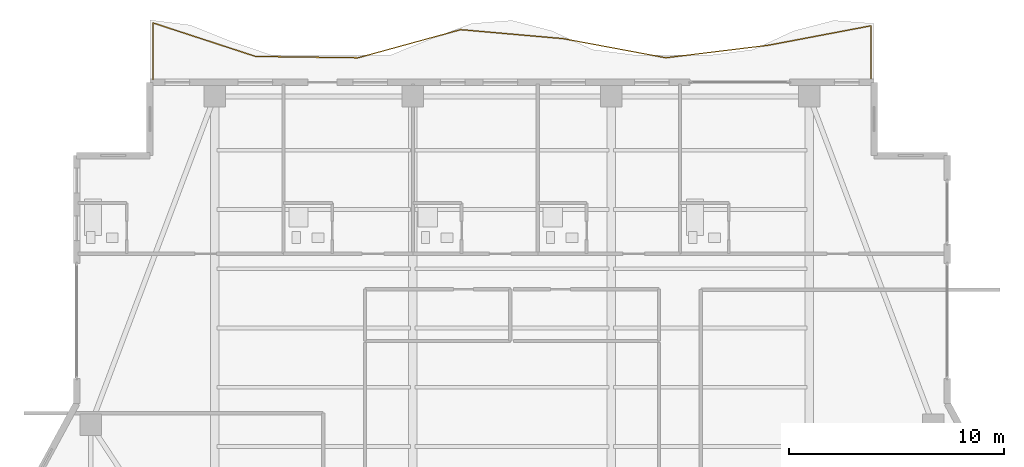
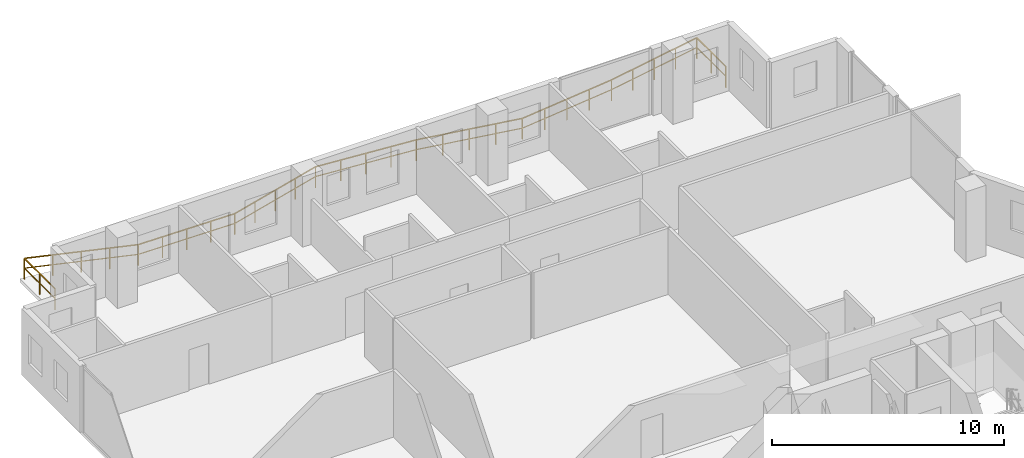
# One storey, part 25 of 26: 1 railing.
"""IFC4 building model written with IfcOpenShell, lengths in metres."""

from ifc_helpers import new_model, si_unit, direction, frame, origin, origin_2d, place, context, subcontext, project, spatial, rectangle, extrude, material, type_object, element, save


model = new_model("IFC4")

# Units and contexts
model_context = context("Model", 3, precision=1e-05, world=origin(), true_north=direction((0.0, 1.0)))
body_context = subcontext(model_context, "Body", "Model", "MODEL_VIEW")
ifc_project = project(units=[si_unit("LENGTHUNIT", "METRE"), si_unit("AREAUNIT", "SQUARE_METRE"), si_unit("VOLUMEUNIT", "CUBIC_METRE"), si_unit("PLANEANGLEUNIT", "RADIAN"), si_unit("MASSUNIT", "GRAM", prefix="KILO")], contexts=[model_context])

# Site, building, storey
site_placement = place(None, origin())
site = spatial("IfcSite", under=ifc_project, at=site_placement, CompositionType="ELEMENT")
building_placement = place(site_placement, origin())
building = spatial("IfcBuilding", under=site, at=building_placement, Name="Zuhayl Quay Hotel", CompositionType="ELEMENT")
storey_placement = place(building_placement, frame((0.0, 0.0, 247.050048828125)))
storey = spatial("IfcBuildingStorey", under=building, at=storey_placement, Name="L62", CompositionType="ELEMENT", Elevation=247.050048828125)

# Railing
ifc_material = material(Name="Anodised Aluminium and Laminated Glass", Category="aluminium")
railing_type = type_object("IfcRailingType", Name="RL_EXT_BAL_1100", PredefinedType="BALUSTRADE", material=ifc_material)
railing_placement = place(storey_placement, frame((-16.659912109375, 39.1201171875, 0.0)))
element("IfcRailing", 1, at=railing_placement, inside=storey, type_object=railing_type, Name="L62 Balcony and Terrace Guard GR_L62_BAL_N", PredefinedType="BALUSTRADE", context=body_context, shape_type="SweptSolid", body=[
    extrude(rectangle(XDim=0.048095703125, YDim=0.048095703125, at=origin_2d()), frame((0.0, 0.0, 1.09619140625), z_axis=(0.0, 1.0, 0.0), x_axis=(-1.0, 0.0, 0.0)), (0.0, 0.0, 1.0), 2.638427734375),
    extrude(rectangle(XDim=0.0361328125, YDim=0.0361328125, at=origin_2d()), frame((0.0, 0.0, 0.58251953125), z_axis=(0.0, 1.0, 0.0), x_axis=(-1.0, 0.0, 0.0)), (0.0, 0.0, 1.0), 2.638427734375),
    extrude(rectangle(XDim=0.048095703125, YDim=0.048095703125, at=origin_2d()), frame((0.0, 2.638427734375, 1.09619140625), z_axis=(0.950495602076, -0.310738009316, 0.0), x_axis=(0.310738009316, 0.950495602076, 0.0)), (0.0, 0.0, 1.0), 5.0078125),
    extrude(rectangle(XDim=0.0361328125, YDim=0.0361328125, at=origin_2d()), frame((0.0, 2.638427734375, 0.58251953125), z_axis=(0.950495602076, -0.310738009316, 0.0), x_axis=(0.310738009316, 0.950495602076, 0.0)), (0.0, 0.0, 1.0), 5.0078125),
    extrude(rectangle(XDim=0.048095703125, YDim=0.048095703125, at=origin_2d()), frame((4.760009765625, 1.082275390625, 1.09619140625), z_axis=(0.999913809738, -0.013129093465, 0.0), x_axis=(0.013129093465, 0.999913809738, 0.0)), (0.0, 0.0, 1.0), 4.760498046875),
    extrude(rectangle(XDim=0.0361328125, YDim=0.0361328125, at=origin_2d()), frame((4.760009765625, 1.082275390625, 0.58251953125), z_axis=(0.999913809738, -0.013129093465, 0.0), x_axis=(0.013129093465, 0.999913809738, 0.0)), (0.0, 0.0, 1.0), 4.760498046875),
    extrude(rectangle(XDim=0.048095703125, YDim=0.048095703125, at=origin_2d()), frame((9.52001953125, 1.019775390625, 1.09619140625), z_axis=(0.964378121066, 0.264527578164, 0.0), x_axis=(-0.264527578164, 0.964378121066, 0.0)), (0.0, 0.0, 1.0), 4.935791015625),
    extrude(rectangle(XDim=0.0361328125, YDim=0.0361328125, at=origin_2d()), frame((9.52001953125, 1.019775390625, 0.58251953125), z_axis=(0.964378121066, 0.264527578164, 0.0), x_axis=(-0.264527578164, 0.964378121066, 0.0)), (0.0, 0.0, 1.0), 4.935791015625),
    extrude(rectangle(XDim=0.048095703125, YDim=0.048095703125, at=origin_2d()), frame((14.280029296875, 2.325439453125, 1.09619140625), z_axis=(0.996162150412, -0.087526967771, 0.0), x_axis=(0.087526967771, 0.996162150412, 0.0)), (0.0, 0.0, 1.0), 4.778076171875),
    extrude(rectangle(XDim=0.0361328125, YDim=0.0361328125, at=origin_2d()), frame((14.280029296875, 2.325439453125, 0.58251953125), z_axis=(0.996162150412, -0.087526967771, 0.0), x_axis=(0.087526967771, 0.996162150412, 0.0)), (0.0, 0.0, 1.0), 4.778076171875),
    extrude(rectangle(XDim=0.048095703125, YDim=0.048095703125, at=origin_2d()), frame((19.039794921875, 1.9072265625, 1.09619140625), z_axis=(0.983060606901, -0.183280776842, 0.0), x_axis=(0.183280776842, 0.983060606901, 0.0)), (0.0, 0.0, 1.0), 4.842041015625),
    extrude(rectangle(XDim=0.0361328125, YDim=0.0361328125, at=origin_2d()), frame((19.039794921875, 1.9072265625, 0.58251953125), z_axis=(0.983060606901, -0.183280776842, 0.0), x_axis=(0.183280776842, 0.983060606901, 0.0)), (0.0, 0.0, 1.0), 4.842041015625),
    extrude(rectangle(XDim=0.048095703125, YDim=0.048095703125, at=origin_2d()), frame((23.7998046875, 1.019775390625, 1.09619140625), z_axis=(0.992613313533, 0.121321102023, 0.0), x_axis=(-0.121321102023, 0.992613313533, 0.0)), (0.0, 0.0, 1.0), 4.79541015625),
    extrude(rectangle(XDim=0.0361328125, YDim=0.0361328125, at=origin_2d()), frame((23.7998046875, 1.019775390625, 0.58251953125), z_axis=(0.992613313533, 0.121321102023, 0.0), x_axis=(-0.121321102023, 0.992613313533, 0.0)), (0.0, 0.0, 1.0), 4.79541015625),
    extrude(rectangle(XDim=0.048095703125, YDim=0.048095703125, at=origin_2d()), frame((28.559814453125, 1.6015625, 1.09619140625), z_axis=(0.982456132587, 0.186493827087, 0.0), x_axis=(-0.186493827087, 0.982456132587, 0.0)), (0.0, 0.0, 1.0), 4.844970703125),
    extrude(rectangle(XDim=0.0361328125, YDim=0.0361328125, at=origin_2d()), frame((28.559814453125, 1.6015625, 0.58251953125), z_axis=(0.982456132587, 0.186493827087, 0.0), x_axis=(-0.186493827087, 0.982456132587, 0.0)), (0.0, 0.0, 1.0), 4.844970703125),
    extrude(rectangle(XDim=0.048095703125, YDim=0.048095703125, at=origin_2d()), frame((33.31982421875, 2.505126953125, 1.09619140625), z_axis=(0.0, -1.0, 0.0), x_axis=(1.0, 0.0, 0.0)), (0.0, 0.0, 1.0), 2.505126953125),
    extrude(rectangle(XDim=0.0361328125, YDim=0.0361328125, at=origin_2d()), frame((33.31982421875, 2.505126953125, 0.58251953125), z_axis=(0.0, -1.0, 0.0), x_axis=(1.0, 0.0, 0.0)), (0.0, 0.0, 1.0), 2.505126953125),
    extrude(rectangle(XDim=0.0419921875, YDim=0.0419921875, at=origin_2d()), origin(), (0.0, 0.0, 1.0), 1.072021484375),
    extrude(rectangle(XDim=0.0419921875, YDim=0.0419921875, at=origin_2d()), frame((0.0, 1.3193359375, 0.0)), (0.0, 0.0, 1.0), 1.072021484375),
    extrude(rectangle(XDim=0.0419921875, YDim=0.0419921875, at=origin_2d()), frame((0.0, 2.638427734375, 0.0)), (0.0, 0.0, 1.0), 1.072021484375),
    extrude(rectangle(XDim=0.0419921875, YDim=0.0419921875, at=origin_2d()), frame((1.18994140625, 2.24951171875, 0.0)), (0.0, 0.0, 1.0), 1.072021484375),
    extrude(rectangle(XDim=0.0419921875, YDim=0.0419921875, at=origin_2d()), frame((2.3798828125, 1.8603515625, 0.0)), (0.0, 0.0, 1.0), 1.072021484375),
    extrude(rectangle(XDim=0.0419921875, YDim=0.0419921875, at=origin_2d()), frame((3.570068359375, 1.47119140625, 0.0)), (0.0, 0.0, 1.0), 1.072021484375),
    extrude(rectangle(XDim=0.0419921875, YDim=0.0419921875, at=origin_2d()), frame((4.760009765625, 1.082275390625, 0.0)), (0.0, 0.0, 1.0), 1.072021484375),
    extrude(rectangle(XDim=0.0419921875, YDim=0.0419921875, at=origin_2d()), frame((5.949951171875, 1.066650390625, 0.0)), (0.0, 0.0, 1.0), 1.072021484375),
    extrude(rectangle(XDim=0.0419921875, YDim=0.0419921875, at=origin_2d()), frame((7.14013671875, 1.051025390625, 0.0)), (0.0, 0.0, 1.0), 1.072021484375),
    extrude(rectangle(XDim=0.0419921875, YDim=0.0419921875, at=origin_2d()), frame((8.330078125, 1.035400390625, 0.0)), (0.0, 0.0, 1.0), 1.072021484375),
    extrude(rectangle(XDim=0.0419921875, YDim=0.0419921875, at=origin_2d()), frame((9.52001953125, 1.019775390625, 0.0)), (0.0, 0.0, 1.0), 1.072021484375),
    extrude(rectangle(XDim=0.0419921875, YDim=0.0419921875, at=origin_2d()), frame((10.7099609375, 1.34619140625, 0.0)), (0.0, 0.0, 1.0), 1.072021484375),
    extrude(rectangle(XDim=0.0419921875, YDim=0.0419921875, at=origin_2d()), frame((11.89990234375, 1.672607421875, 0.0)), (0.0, 0.0, 1.0), 1.072021484375),
    extrude(rectangle(XDim=0.0419921875, YDim=0.0419921875, at=origin_2d()), frame((13.090087890625, 1.9990234375, 0.0)), (0.0, 0.0, 1.0), 1.072021484375),
    extrude(rectangle(XDim=0.0419921875, YDim=0.0419921875, at=origin_2d()), frame((14.280029296875, 2.325439453125, 0.0)), (0.0, 0.0, 1.0), 1.072021484375),
    extrude(rectangle(XDim=0.0419921875, YDim=0.0419921875, at=origin_2d()), frame((15.469970703125, 2.220947265625, 0.0)), (0.0, 0.0, 1.0), 1.072021484375),
    extrude(rectangle(XDim=0.0419921875, YDim=0.0419921875, at=origin_2d()), frame((16.659912109375, 2.1162109375, 0.0)), (0.0, 0.0, 1.0), 1.072021484375),
    extrude(rectangle(XDim=0.0419921875, YDim=0.0419921875, at=origin_2d()), frame((17.849853515625, 2.01171875, 0.0)), (0.0, 0.0, 1.0), 1.072021484375),
    extrude(rectangle(XDim=0.0419921875, YDim=0.0419921875, at=origin_2d()), frame((19.039794921875, 1.9072265625, 0.0)), (0.0, 0.0, 1.0), 1.072021484375),
    extrude(rectangle(XDim=0.0419921875, YDim=0.0419921875, at=origin_2d()), frame((20.229736328125, 1.685302734375, 0.0)), (0.0, 0.0, 1.0), 1.072021484375),
    extrude(rectangle(XDim=0.0419921875, YDim=0.0419921875, at=origin_2d()), frame((21.419921875, 1.46337890625, 0.0)), (0.0, 0.0, 1.0), 1.072021484375),
    extrude(rectangle(XDim=0.0419921875, YDim=0.0419921875, at=origin_2d()), frame((22.60986328125, 1.24169921875, 0.0)), (0.0, 0.0, 1.0), 1.072021484375),
    extrude(rectangle(XDim=0.0419921875, YDim=0.0419921875, at=origin_2d()), frame((23.7998046875, 1.019775390625, 0.0)), (0.0, 0.0, 1.0), 1.072021484375),
    extrude(rectangle(XDim=0.0419921875, YDim=0.0419921875, at=origin_2d()), frame((24.98974609375, 1.165283203125, 0.0)), (0.0, 0.0, 1.0), 1.072021484375),
    extrude(rectangle(XDim=0.0419921875, YDim=0.0419921875, at=origin_2d()), frame((26.1796875, 1.310546875, 0.0)), (0.0, 0.0, 1.0), 1.072021484375),
    extrude(rectangle(XDim=0.0419921875, YDim=0.0419921875, at=origin_2d()), frame((27.369873046875, 1.4560546875, 0.0)), (0.0, 0.0, 1.0), 1.072021484375),
    extrude(rectangle(XDim=0.0419921875, YDim=0.0419921875, at=origin_2d()), frame((28.559814453125, 1.6015625, 0.0)), (0.0, 0.0, 1.0), 1.072021484375),
    extrude(rectangle(XDim=0.0419921875, YDim=0.0419921875, at=origin_2d()), frame((29.749755859375, 1.827392578125, 0.0)), (0.0, 0.0, 1.0), 1.072021484375),
    extrude(rectangle(XDim=0.0419921875, YDim=0.0419921875, at=origin_2d()), frame((30.93994140625, 2.05322265625, 0.0)), (0.0, 0.0, 1.0), 1.072021484375),
    extrude(rectangle(XDim=0.0419921875, YDim=0.0419921875, at=origin_2d()), frame((32.1298828125, 2.279296875, 0.0)), (0.0, 0.0, 1.0), 1.072021484375),
    extrude(rectangle(XDim=0.0419921875, YDim=0.0419921875, at=origin_2d()), frame((33.31982421875, 2.505126953125, 0.0)), (0.0, 0.0, 1.0), 1.072021484375),
    extrude(rectangle(XDim=0.0419921875, YDim=0.0419921875, at=origin_2d()), frame((33.31982421875, 1.25244140625, 0.0)), (0.0, 0.0, 1.0), 1.072021484375),
    extrude(rectangle(XDim=0.0419921875, YDim=0.0419921875, at=origin_2d()), frame((33.31982421875, 0.0, 0.0)), (0.0, 0.0, 1.0), 1.072021484375),
])

save(model, "model.ifc")
